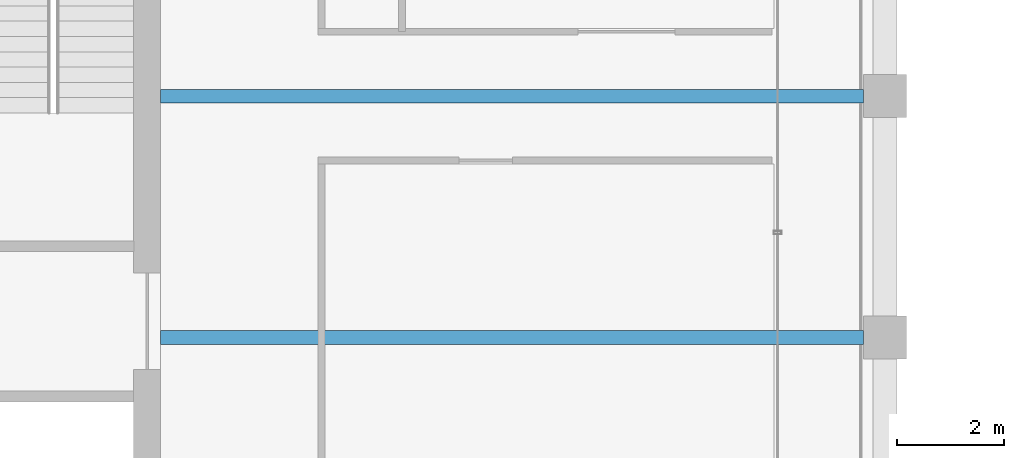
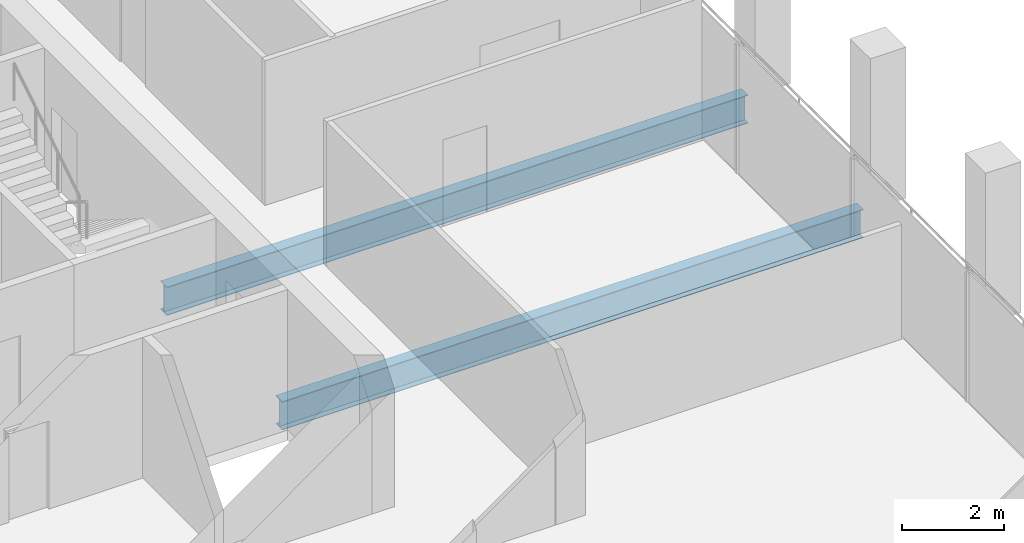
# One storey, part 16 of 40: 2 beams.
"""IFC4 building model written with IfcOpenShell, lengths in metres."""

from ifc_helpers import new_model, si_unit, direction, frame, origin, origin_2d, place, context, subcontext, project, spatial, i_section, extrude, material, material_profile, profile_set, type_object, element, save


model = new_model("IFC4")

# Units and contexts
model_context = context("Model", 3, precision=1e-05, world=origin(), true_north=direction((0.0, 1.0)))
body_context = subcontext(model_context, "Body", "Model", "MODEL_VIEW")
ifc_project = project(units=[si_unit("LENGTHUNIT", "METRE"), si_unit("AREAUNIT", "SQUARE_METRE"), si_unit("VOLUMEUNIT", "CUBIC_METRE"), si_unit("PLANEANGLEUNIT", "RADIAN"), si_unit("MASSUNIT", "GRAM", prefix="KILO")], contexts=[model_context])

# Site, building, storey
site_placement = place(None, origin())
site = spatial("IfcSite", under=ifc_project, at=site_placement, CompositionType="ELEMENT")
building_placement = place(site_placement, origin())
building = spatial("IfcBuilding", under=site, at=building_placement, Name="Altepetl Exchange Towers", CompositionType="ELEMENT")
storey_placement = place(building_placement, frame((0.0, 0.0, 199.199951171875)))
storey = spatial("IfcBuildingStorey", under=building, at=storey_placement, Name="L50", CompositionType="ELEMENT", Elevation=199.199951171875)

# Beams
ifc_material = material(Name="Steel S355", Category="steel")
ifc_material_profile = material_profile(ifc_material, i_section(OverallWidth=0.2529296875, OverallDepth=0.677978515625, WebThickness=0.01171875, FlangeThickness=0.016357421875, at=origin_2d()), Name="W27X84")
ifc_profile_set = profile_set([ifc_material_profile], Name="Steel S355")
beam_type = type_object("IfcBeamType", Name="Floor beam W27X84", PredefinedType="BEAM", material=ifc_profile_set)
for number, where, z_axis, x_axis, name in (
    (1, (58.5, 45.0, -0.489013671875), (1.0, 0.0, 0.0), (0.0, 1.0, 0.0), "bm:A:L50:009"),
    (2, (58.5, 49.5, -0.489013671875), (1.0, 0.0, 0.0), (0.0, 1.0, 0.0), "bm:A:L50:010"),
):
    element("IfcBeam", number, at=place(storey_placement, frame(where, z_axis=z_axis, x_axis=x_axis)), inside=storey, type_object=beam_type, Name=name, PredefinedType="BEAM", context=body_context, shape_type="SweptSolid", body=[
        extrude(i_section(OverallWidth=0.2529296875, OverallDepth=0.677978515625, WebThickness=0.01171875, FlangeThickness=0.016357421875, at=origin_2d()), origin(), (0.0, 0.0, 1.0), 13.10009765625),
    ])

save(model, "model.ifc")
